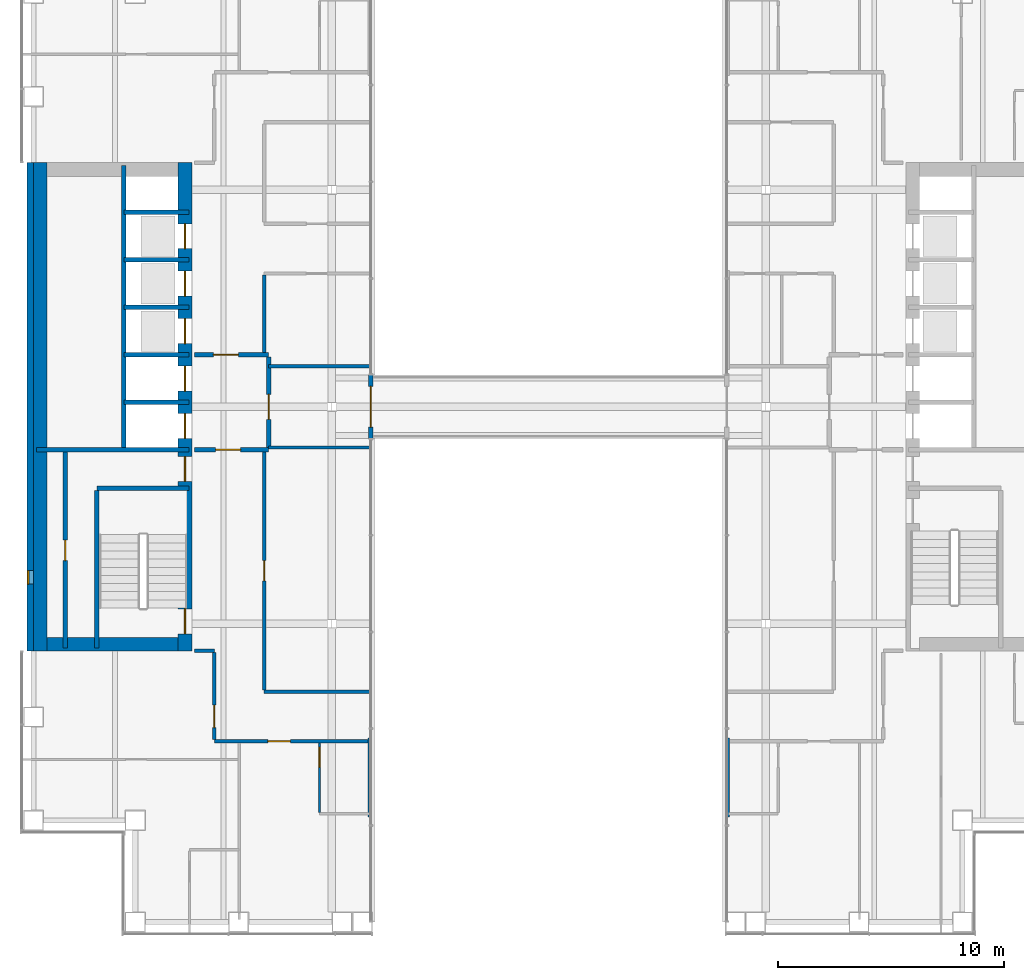
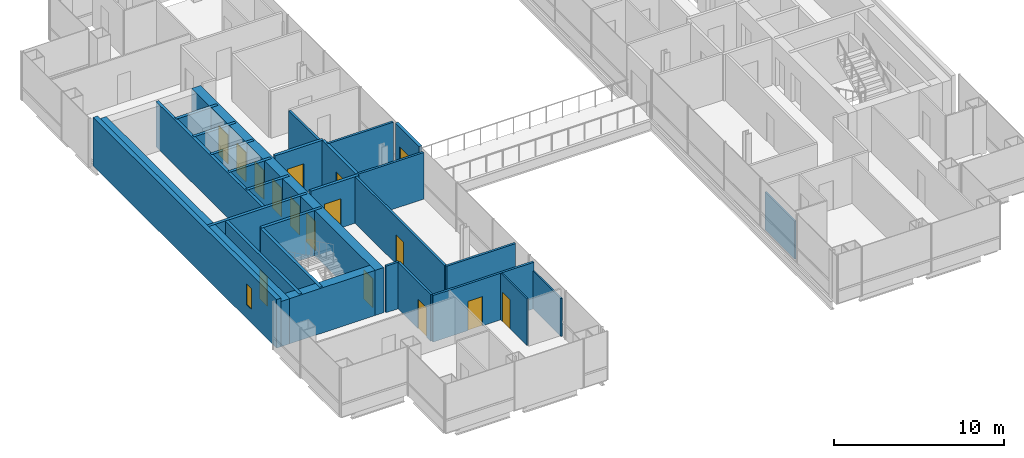
# One storey, part 11 of 16: 29 walls, 16 doors, 1 window, 17 openings.
"""IFC4 building model written with IfcOpenShell, lengths in metres."""

from ifc_helpers import new_model, si_unit, direction, frame, frame_2d, origin, place, context, subcontext, project, spatial, rectangle, extrude, material, layer, layer_set, type_object, element, fill, save


model = new_model("IFC4")

# Units and contexts
model_context = context("Model", 3, precision=1e-05, world=origin(), true_north=direction((0.0, 1.0)))
body_context = subcontext(model_context, "Body", "Model", "MODEL_VIEW")
ifc_project = project(units=[si_unit("LENGTHUNIT", "METRE"), si_unit("AREAUNIT", "SQUARE_METRE"), si_unit("VOLUMEUNIT", "CUBIC_METRE"), si_unit("PLANEANGLEUNIT", "RADIAN"), si_unit("MASSUNIT", "GRAM", prefix="KILO")], contexts=[model_context])

# Site, building, storey
site_placement = place(None, origin())
site = spatial("IfcSite", under=ifc_project, at=site_placement, CompositionType="ELEMENT")
building_placement = place(site_placement, origin())
building = spatial("IfcBuilding", under=site, at=building_placement, Name="Cobrizo Arcos Hotel Tower", CompositionType="ELEMENT")
storey_placement = place(building_placement, frame((0.0, 0.0, 120.5)))
storey = spatial("IfcBuildingStorey", under=building, at=storey_placement, Name="L30", CompositionType="ELEMENT", Elevation=120.5)

# Wall, opening, door
ifc_material_1 = material(Name="Gypsum board partition")
ifc_layer_1 = layer(ifc_material_1, 0.14990234375)
ifc_layer_set_1 = layer_set([ifc_layer_1], Name="Corridor wall EI 60 150")
wall_type_1 = type_object("IfcWallType", Name="Corridor wall EI 60 150", PredefinedType="PARTITIONING", material=ifc_layer_set_1)
wall_1_placement = place(storey_placement, frame((-14.800048828125, -14.800048828125, 0.0), z_axis=(0.0, 0.0, 1.0), x_axis=(1.0, 0.0, 0.0)))
wall_1 = element("IfcWall", 1, at=wall_1_placement, inside=storey, type_object=wall_type_1, Name="Partition 005", PredefinedType="PARTITIONING", context=body_context, shape_type="SweptSolid", body=[
    extrude(rectangle(XDim=6.85009765625, YDim=0.14990234375, at=frame_2d((3.425048828125, 0.0))), origin(), (0.0, 0.0, 1.0), 3.35009765625),
])
opening_1_placement = place(wall_1_placement, frame((2.363037109375, 0.0, 0.0)))
opening_1 = element("IfcOpeningElement", 2, at=opening_1_placement, cuts=wall_1, Name="Opening GD-04", PredefinedType="OPENING", context=body_context, shape_type="SweptSolid", body=[
    extrude(rectangle(XDim=1.0, YDim=2.10009765625, at=frame_2d((0.5, 1.050048828125))), frame((0.0, 0.0869140625, 0.0), z_axis=(0.0, -1.0, 0.0), x_axis=(1.0, 0.0, 0.0)), (0.0, 0.0, 1.0), 0.173828125),
])
ifc_material_2 = material(Name="Timber door leaf", Category="wood")
door_type_1 = type_object("IfcDoorType", Name="Guest room door FD30S 1000x2100", OperationType="SINGLE_SWING_LEFT", PredefinedType="DOOR", material=ifc_material_2)
door_1_placement = place(opening_1_placement, origin())
door_1 = element("IfcDoor", 3, at=door_1_placement, inside=storey, type_object=door_type_1, Name="Door GD-04", OperationType="SINGLE_SWING_RIGHT", OverallHeight=2.10009765625, OverallWidth=1.0, PredefinedType="DOOR", context=body_context, shape_type="SweptSolid", body=[
    extrude(rectangle(XDim=1.0, YDim=2.10009765625, at=frame_2d((0.5, 1.050048828125))), frame((0.0, 0.02490234375, 0.0), z_axis=(0.0, -1.0, 0.0), x_axis=(1.0, 0.0, 0.0)), (0.0, 0.0, 1.0), 0.050048828125),
])
fill(opening_1, door_1)

# Walls
wall_2_placement = place(storey_placement, frame((-12.60009765625, -12.60009765625, 0.0), z_axis=(0.0, 0.0, 1.0), x_axis=(1.0, 0.0, 0.0)))
element("IfcWall", 4, at=wall_2_placement, inside=storey, type_object=wall_type_1, Name="Partition 008", PredefinedType="PARTITIONING", context=body_context, shape_type="SweptSolid", body=[
    extrude(rectangle(XDim=4.68017578125, YDim=0.14990234375, at=frame_2d((2.340087890625, 0.0))), origin(), (0.0, 0.0, 1.0), 3.35009765625),
])
wall_3_placement = place(storey_placement, frame((-15.679931640625, -10.800048828125, 0.0), z_axis=(0.0, 0.0, 1.0), x_axis=(1.0, 0.0, 0.0)))
element("IfcWall", 5, at=wall_3_placement, inside=storey, type_object=wall_type_1, Name="Partition 010", PredefinedType="PARTITIONING", context=body_context, shape_type="SweptSolid", body=[
    extrude(rectangle(XDim=0.8798828125, YDim=0.14990234375, at=frame_2d((0.43994140625, 0.0))), origin(), (0.0, 0.0, 1.0), 3.35009765625),
])
for number, where, z_axis, x_axis, name in (
    (6, (-12.39990234375, -1.800048828125, 0.0), (0.0, 0.0, 1.0), (1.0, 0.0, 0.0), "Partition 018"),
    (7, (-12.39990234375, 1.800048828125, 0.0), (0.0, 0.0, 1.0), (1.0, 0.0, 0.0), "Partition 022"),
):
    element("IfcWall", number, at=place(storey_placement, frame(where, z_axis=z_axis, x_axis=x_axis)), inside=storey, type_object=wall_type_1, Name=name, PredefinedType="PARTITIONING", context=body_context, shape_type="SweptSolid", body=[
        extrude(rectangle(XDim=4.47998046875, YDim=0.14990234375, at=frame_2d((2.239990234375, 0.0))), origin(), (0.0, 0.0, 1.0), 3.35009765625),
    ])

# Wall, opening, door
wall_4_placement = place(storey_placement, frame((-14.800048828125, -14.72509765625, 0.0), z_axis=(0.0, 0.0, 1.0), x_axis=(0.0, 1.0, 0.0)))
wall_4 = element("IfcWall", 8, at=wall_4_placement, inside=storey, type_object=wall_type_1, Name="Partition 054", PredefinedType="PARTITIONING", context=body_context, shape_type="SweptSolid", body=[
    extrude(rectangle(XDim=3.85009765625, YDim=0.14990234375, at=frame_2d((1.925048828125, 0.0))), origin(), (0.0, 0.0, 1.0), 3.35009765625),
])
opening_2_placement = place(wall_4_placement, frame((0.52490234375, 0.0, 0.0)))
opening_2 = element("IfcOpeningElement", 9, at=opening_2_placement, cuts=wall_4, Name="Opening GD-05", PredefinedType="OPENING", context=body_context, shape_type="SweptSolid", body=[
    extrude(rectangle(XDim=1.0, YDim=2.10009765625, at=frame_2d((0.5, 1.050048828125))), frame((0.0, 0.0869140625, 0.0), z_axis=(0.0, -1.0, 0.0), x_axis=(1.0, 0.0, 0.0)), (0.0, 0.0, 1.0), 0.173828125),
])
door_2_placement = place(opening_2_placement, origin())
door_2 = element("IfcDoor", 10, at=door_2_placement, inside=storey, type_object=door_type_1, Name="Door GD-05", OperationType="SINGLE_SWING_LEFT", OverallHeight=2.10009765625, OverallWidth=1.0, PredefinedType="DOOR", context=body_context, shape_type="SweptSolid", body=[
    extrude(rectangle(XDim=1.0, YDim=2.10009765625, at=frame_2d((0.5, 1.050048828125))), frame((0.0, 0.02490234375, 0.0), z_axis=(0.0, -1.0, 0.0), x_axis=(1.0, 0.0, 0.0)), (0.0, 0.0, 1.0), 0.050048828125),
])
fill(opening_2, door_2)

wall_5_placement = place(storey_placement, frame((-12.60009765625, -12.52490234375, 0.0), z_axis=(0.0, 0.0, 1.0), x_axis=(0.0, 1.0, 0.0)))
wall_5 = element("IfcWall", 11, at=wall_5_placement, inside=storey, type_object=wall_type_1, Name="Partition 058", PredefinedType="PARTITIONING", context=body_context, shape_type="SweptSolid", body=[
    extrude(rectangle(XDim=10.52490234375, YDim=0.14990234375, at=frame_2d((5.262451171875, 0.0))), origin(), (0.0, 0.0, 1.0), 3.35009765625),
])
opening_3_placement = place(wall_5_placement, frame((4.824951171875, 0.0, 0.0)))
opening_3 = element("IfcOpeningElement", 12, at=opening_3_placement, cuts=wall_5, Name="Opening RD-09", PredefinedType="OPENING", context=body_context, shape_type="SweptSolid", body=[
    extrude(rectangle(XDim=0.89990234375, YDim=2.10009765625, at=frame_2d((0.449951171875, 1.050048828125))), frame((0.0, 0.0869140625, 0.0), z_axis=(0.0, -1.0, 0.0), x_axis=(1.0, 0.0, 0.0)), (0.0, 0.0, 1.0), 0.173828125),
])
door_type_2 = type_object("IfcDoorType", Name="Room door FD30 900x2100", OperationType="SINGLE_SWING_LEFT", PredefinedType="DOOR", material=ifc_material_2)
door_3_placement = place(opening_3_placement, origin())
door_3 = element("IfcDoor", 13, at=door_3_placement, inside=storey, type_object=door_type_2, Name="Door RD-09", OperationType="SINGLE_SWING_RIGHT", OverallHeight=2.10009765625, OverallWidth=0.89990234375, PredefinedType="DOOR", context=body_context, shape_type="SweptSolid", body=[
    extrude(rectangle(XDim=0.89990234375, YDim=2.10009765625, at=frame_2d((0.449951171875, 1.050048828125))), frame((0.0, 0.02490234375, 0.0), z_axis=(0.0, -1.0, 0.0), x_axis=(1.0, 0.0, 0.0)), (0.0, 0.0, 1.0), 0.050048828125),
])
fill(opening_3, door_3)

# Wall
wall_6_placement = place(storey_placement, frame((-12.60009765625, 2.39990234375, 0.0), z_axis=(0.0, 0.0, 1.0), x_axis=(0.0, 1.0, 0.0)))
element("IfcWall", 14, at=wall_6_placement, inside=storey, type_object=wall_type_1, Name="Partition 059", PredefinedType="PARTITIONING", context=body_context, shape_type="SweptSolid", body=[
    extrude(rectangle(XDim=3.425048828125, YDim=0.14990234375, at=frame_2d((1.71240234375, 0.0))), origin(), (0.0, 0.0, 1.0), 3.35009765625),
])

# Wall, opening, window
ifc_material_3 = material(Name="Aluminium composite panel pale metal", Category="aluminium")
ifc_layer_2 = layer(ifc_material_3, 0.300048828125)
ifc_layer_set_2 = layer_set([ifc_layer_2], Name="EW-1 insulated panel wall 300")
wall_type_2 = type_object("IfcWallType", Name="EW-1 insulated panel wall 300", PredefinedType="SOLIDWALL", material=ifc_layer_set_2)
wall_7_placement = place(storey_placement, frame((-22.949951171875, 10.800048828125, 0.0), z_axis=(0.0, 0.0, 1.0), x_axis=(0.0, -1.0, 0.0)))
wall_7 = element("IfcWall", 15, at=wall_7_placement, inside=storey, type_object=wall_type_2, Name="Core face wall L30 W", PredefinedType="SOLIDWALL", context=body_context, shape_type="SweptSolid", body=[
    extrude(rectangle(XDim=21.60009765625, YDim=0.300048828125, at=frame_2d((10.800048828125, 0.0))), origin(), (0.0, 0.0, 1.0), 3.5),
])
opening_4_placement = place(wall_7_placement, frame((18.050048828125, 0.0, 1.0)))
opening_4 = element("IfcOpeningElement", 16, at=opening_4_placement, cuts=wall_7, Name="Opening W-62", PredefinedType="OPENING", context=body_context, shape_type="SweptSolid", body=[
    extrude(rectangle(XDim=0.60009765625, YDim=1.5, at=frame_2d((0.300048828125, 0.75))), frame((0.0, 0.162109375, 0.0), z_axis=(0.0, -1.0, 0.0), x_axis=(1.0, 0.0, 0.0)), (0.0, 0.0, 1.0), 0.323974609375),
])
ifc_material_4 = material(Name="Aluminium 6063-T6 and clear laminated glass", Category="aluminium")
window_type = type_object("IfcWindowType", Name="W-C1 core stair slot window 600x1500", PartitioningType="SINGLE_PANEL", PredefinedType="WINDOW", material=ifc_material_4)
window_placement = place(opening_4_placement, origin())
window = element("IfcWindow", 17, at=window_placement, inside=storey, type_object=window_type, Name="Core face wall L30 W window W-62", OverallHeight=1.5, OverallWidth=0.60009765625, PartitioningType="SINGLE_PANEL", PredefinedType="WINDOW", context=body_context, shape_type="SweptSolid", body=[
    extrude(rectangle(XDim=0.60009765625, YDim=1.5, at=frame_2d((0.300048828125, 0.75))), frame((0.0, -0.06005859375, 0.0), z_axis=(0.0, -1.0, 0.0), x_axis=(1.0, 0.0, 0.0)), (0.0, 0.0, 1.0), 0.06005859375),
])
fill(opening_4, window)

# Wall, opening, door
ifc_material_5 = material(Name="Aluminium 6063-T6 anodised pale", Category="aluminium")
ifc_layer_3 = layer(ifc_material_5, 0.199951171875)
ifc_layer_set_3 = layer_set([ifc_layer_3], Name="EW-4 sky bridge door frame wall")
wall_type_3 = type_object("IfcWallType", Name="EW-4 sky bridge door frame wall", PredefinedType="SOLIDWALL", material=ifc_layer_set_3)
wall_8_placement = place(storey_placement, frame((-7.875, -1.39990234375, 0.0), z_axis=(0.0, 0.0, 1.0), x_axis=(0.0, 1.0, 0.0)))
wall_8 = element("IfcWall", 18, at=wall_8_placement, inside=storey, type_object=wall_type_3, Name="Sky bridge door wall B W", PredefinedType="SOLIDWALL", context=body_context, shape_type="SweptSolid", body=[
    extrude(rectangle(XDim=2.7998046875, YDim=0.199951171875, at=frame_2d((1.39990234375, 0.0))), origin(), (0.0, 0.0, 1.0), 3.5),
])
opening_5_placement = place(wall_8_placement, frame((0.5, 0.0, 0.0)))
opening_5 = element("IfcOpeningElement", 19, at=opening_5_placement, cuts=wall_8, Name="Opening E-47", PredefinedType="OPENING", context=body_context, shape_type="SweptSolid", body=[
    extrude(rectangle(XDim=1.800048828125, YDim=2.10009765625, at=frame_2d((0.89990234375, 1.050048828125))), frame((0.0, 0.112060546875, 0.0), z_axis=(0.0, -1.0, 0.0), x_axis=(1.0, 0.0, 0.0)), (0.0, 0.0, 1.0), 0.223876953125),
])
door_type_3 = type_object("IfcDoorType", Name="D-B1 sky bridge double door 1800x2100", OperationType="DOUBLE_DOOR_DOUBLE_SWING", PredefinedType="DOOR", material=ifc_material_4)
door_4_placement = place(opening_5_placement, origin())
door_4 = element("IfcDoor", 20, at=door_4_placement, inside=storey, type_object=door_type_3, Name="Sky bridge door wall B W door E-47", OperationType="DOUBLE_DOOR_DOUBLE_SWING", OverallHeight=2.10009765625, OverallWidth=1.800048828125, PredefinedType="DOOR", context=body_context, shape_type="SweptSolid", body=[
    extrude(rectangle(XDim=1.800048828125, YDim=2.10009765625, at=frame_2d((0.89990234375, 1.050048828125))), frame((0.0, 0.02490234375, 0.0), z_axis=(0.0, -1.0, 0.0), x_axis=(1.0, 0.0, 0.0)), (0.0, 0.0, 1.0), 0.050048828125),
])
fill(opening_5, door_4)

ifc_layer_4 = layer(ifc_material_1, 0.10009765625)
ifc_layer_set_4 = layer_set([ifc_layer_4], Name="Partition EI 30 100")
wall_type_4 = type_object("IfcWallType", Name="Partition EI 30 100", PredefinedType="PARTITIONING", material=ifc_layer_set_4)
wall_9_placement = place(storey_placement, frame((-10.14990234375, -17.949951171875, 0.0), z_axis=(0.0, 0.0, 1.0), x_axis=(0.0, 1.0, 0.0)))
wall_9 = element("IfcWall", 21, at=wall_9_placement, inside=storey, type_object=wall_type_4, Name="Partition 062", PredefinedType="PARTITIONING", context=body_context, shape_type="SweptSolid", body=[
    extrude(rectangle(XDim=3.074951171875, YDim=0.10009765625, at=frame_2d((1.53759765625, 0.0))), origin(), (0.0, 0.0, 1.0), 3.35009765625),
])
opening_6_placement = place(wall_9_placement, frame((1.99609375, 0.0, 0.0)))
opening_6 = element("IfcOpeningElement", 22, at=opening_6_placement, cuts=wall_9, Name="Opening ED-05", PredefinedType="OPENING", context=body_context, shape_type="SweptSolid", body=[
    extrude(rectangle(XDim=0.89990234375, YDim=2.10009765625, at=frame_2d((0.449951171875, 1.050048828125))), frame((0.0, 0.06201171875, 0.0), z_axis=(0.0, -1.0, 0.0), x_axis=(1.0, 0.0, 0.0)), (0.0, 0.0, 1.0), 0.1240234375),
])
door_type_4 = type_object("IfcDoorType", Name="En-suite door 900x2100", OperationType="SINGLE_SWING_LEFT", PredefinedType="DOOR", material=ifc_material_2)
door_5_placement = place(opening_6_placement, origin())
door_5 = element("IfcDoor", 23, at=door_5_placement, inside=storey, type_object=door_type_4, Name="Door ED-05", OperationType="SINGLE_SWING_LEFT", OverallHeight=2.10009765625, OverallWidth=0.89990234375, PredefinedType="DOOR", context=body_context, shape_type="SweptSolid", body=[
    extrude(rectangle(XDim=0.89990234375, YDim=2.10009765625, at=frame_2d((0.449951171875, 1.050048828125))), frame((0.0, 0.02490234375, 0.0), z_axis=(0.0, -1.0, 0.0), x_axis=(1.0, 0.0, 0.0)), (0.0, 0.0, 1.0), 0.050048828125),
])
fill(opening_6, door_5)

# Walls
for number, where, z_axis, x_axis, name in (
    (24, (-7.949951171875, -18.139892578125, 0.0), (0.0, 0.0, 1.0), (0.0, 1.0, 0.0), "Partition 064"),
    (25, (7.949951171875, -18.139892578125, 0.0), (0.0, 0.0, 1.0), (0.0, 1.0, 0.0), "Partition 066"),
):
    element("IfcWall", number, at=place(storey_placement, frame(where, z_axis=z_axis, x_axis=x_axis)), inside=storey, type_object=wall_type_4, Name=name, PredefinedType="PARTITIONING", context=body_context, shape_type="SweptSolid", body=[
        extrude(rectangle(XDim=3.47998046875, YDim=0.10009765625, at=frame_2d((1.739990234375, 0.0))), origin(), (0.0, 0.0, 1.0), 2.73291015625),
    ])

# Wall, openings, doors
ifc_material_6 = material(Name="Concrete f'c 50 MPa", Category="concrete")
ifc_layer_5 = layer(ifc_material_6, 0.60009765625)
ifc_layer_set_5 = layer_set([ifc_layer_5], Name="RC core wall 600 f'c 50")
wall_type_5 = type_object("IfcWallType", Name="RC core wall 600 f'c 50", PredefinedType="SHEAR", material=ifc_layer_set_5)
wall_10_placement = place(storey_placement, frame((-16.10009765625, -10.800048828125, 0.0), z_axis=(0.0, 0.0, 1.0), x_axis=(0.0, 1.0, 0.0)))
wall_10 = element("IfcWall", 26, at=wall_10_placement, inside=storey, type_object=wall_type_5, Name="Core wall CW2, west core, inner face, L30", PredefinedType="SHEAR", context=body_context, shape_type="SweptSolid", body=[
    extrude(rectangle(XDim=21.60009765625, YDim=0.60009765625, at=frame_2d((10.800048828125, 0.0))), origin(), (0.0, 0.0, 1.0), 3.25),
])
opening_7_placement = place(wall_10_placement, frame((9.39990234375, 0.0, 0.0)))
opening_7 = element("IfcOpeningElement", 27, at=opening_7_placement, cuts=wall_10, Name="Opening LD-01", PredefinedType="OPENING", context=body_context, shape_type="SweptSolid", body=[
    extrude(rectangle(XDim=1.10009765625, YDim=2.10009765625, at=frame_2d((0.550048828125, 1.050048828125))), frame((0.0, 0.31201171875, 0.0), z_axis=(0.0, -1.0, 0.0), x_axis=(1.0, 0.0, 0.0)), (0.0, 0.0, 1.0), 0.6240234375),
])
opening_8_placement = place(wall_10_placement, frame((11.5, 0.0, 0.0)))
opening_8 = element("IfcOpeningElement", 28, at=opening_8_placement, cuts=wall_10, Name="Opening LD-02", PredefinedType="OPENING", context=body_context, shape_type="SweptSolid", body=[
    extrude(rectangle(XDim=1.10009765625, YDim=2.10009765625, at=frame_2d((0.550048828125, 1.050048828125))), frame((0.0, 0.31201171875, 0.0), z_axis=(0.0, -1.0, 0.0), x_axis=(1.0, 0.0, 0.0)), (0.0, 0.0, 1.0), 0.6240234375),
])
opening_9_placement = place(wall_10_placement, frame((13.60009765625, 0.0, 0.0)))
opening_9 = element("IfcOpeningElement", 29, at=opening_9_placement, cuts=wall_10, Name="Opening LD-03", PredefinedType="OPENING", context=body_context, shape_type="SweptSolid", body=[
    extrude(rectangle(XDim=1.10009765625, YDim=2.10009765625, at=frame_2d((0.550048828125, 1.050048828125))), frame((0.0, 0.31201171875, 0.0), z_axis=(0.0, -1.0, 0.0), x_axis=(1.0, 0.0, 0.0)), (0.0, 0.0, 1.0), 0.6240234375),
])
opening_10_placement = place(wall_10_placement, frame((15.699951171875, 0.0, 0.0)))
opening_10 = element("IfcOpeningElement", 30, at=opening_10_placement, cuts=wall_10, Name="Opening LD-04", PredefinedType="OPENING", context=body_context, shape_type="SweptSolid", body=[
    extrude(rectangle(XDim=1.10009765625, YDim=2.10009765625, at=frame_2d((0.550048828125, 1.050048828125))), frame((0.0, 0.31201171875, 0.0), z_axis=(0.0, -1.0, 0.0), x_axis=(1.0, 0.0, 0.0)), (0.0, 0.0, 1.0), 0.6240234375),
])
opening_11_placement = place(wall_10_placement, frame((17.800048828125, 0.0, 0.0)))
opening_11 = element("IfcOpeningElement", 31, at=opening_11_placement, cuts=wall_10, Name="Opening LD-05", PredefinedType="OPENING", context=body_context, shape_type="SweptSolid", body=[
    extrude(rectangle(XDim=1.10009765625, YDim=2.10009765625, at=frame_2d((0.550048828125, 1.050048828125))), frame((0.0, 0.31201171875, 0.0), z_axis=(0.0, -1.0, 0.0), x_axis=(1.0, 0.0, 0.0)), (0.0, 0.0, 1.0), 0.6240234375),
])
opening_12_placement = place(wall_10_placement, frame((0.758056640625, 0.0, 0.0)))
opening_12 = element("IfcOpeningElement", 32, at=opening_12_placement, cuts=wall_10, Name="Opening SD-01", PredefinedType="OPENING", context=body_context, shape_type="SweptSolid", body=[
    extrude(rectangle(XDim=1.10009765625, YDim=2.10009765625, at=frame_2d((0.550048828125, 1.050048828125))), frame((0.0, 0.31201171875, 0.0), z_axis=(0.0, -1.0, 0.0), x_axis=(1.0, 0.0, 0.0)), (0.0, 0.0, 1.0), 0.6240234375),
])
opening_13_placement = place(wall_10_placement, frame((7.5, 0.0, 0.0)))
opening_13 = element("IfcOpeningElement", 33, at=opening_13_placement, cuts=wall_10, Name="Opening FD-01", PredefinedType="OPENING", context=body_context, shape_type="SweptSolid", body=[
    extrude(rectangle(XDim=1.10009765625, YDim=2.10009765625, at=frame_2d((0.550048828125, 1.050048828125))), frame((0.0, 0.31201171875, 0.0), z_axis=(0.0, -1.0, 0.0), x_axis=(1.0, 0.0, 0.0)), (0.0, 0.0, 1.0), 0.6240234375),
])
ifc_material_7 = material(Name="Steel door leaf", Category="steel")
door_type_5 = type_object("IfcDoorType", Name="Fire door FD60 1100x2100", OperationType="SINGLE_SWING_LEFT", PredefinedType="DOOR", material=ifc_material_7)
door_6_placement = place(opening_13_placement, origin())
door_6 = element("IfcDoor", 34, at=door_6_placement, inside=storey, type_object=door_type_5, Name="Door FD-01", OperationType="SINGLE_SWING_LEFT", OverallHeight=2.10009765625, OverallWidth=1.10009765625, PredefinedType="DOOR", context=body_context, shape_type="SweptSolid", body=[
    extrude(rectangle(XDim=1.10009765625, YDim=2.10009765625, at=frame_2d((0.550048828125, 1.050048828125))), frame((0.0, 0.02490234375, 0.0), z_axis=(0.0, -1.0, 0.0), x_axis=(1.0, 0.0, 0.0)), (0.0, 0.0, 1.0), 0.050048828125),
])
fill(opening_13, door_6)
door_type_6 = type_object("IfcDoorType", Name="Lift landing door 1100x2100", OperationType="SLIDING_TO_LEFT", PredefinedType="DOOR", material=ifc_material_7)
door_7_placement = place(opening_7_placement, origin())
door_7 = element("IfcDoor", 35, at=door_7_placement, inside=storey, type_object=door_type_6, Name="Lift landing door LD-01", OperationType="SLIDING_TO_LEFT", OverallHeight=2.10009765625, OverallWidth=1.10009765625, PredefinedType="DOOR", context=body_context, shape_type="SweptSolid", body=[
    extrude(rectangle(XDim=1.10009765625, YDim=2.10009765625, at=frame_2d((0.550048828125, 1.050048828125))), frame((0.0, 0.02490234375, 0.0), z_axis=(0.0, -1.0, 0.0), x_axis=(1.0, 0.0, 0.0)), (0.0, 0.0, 1.0), 0.050048828125),
])
fill(opening_7, door_7)
door_8_placement = place(opening_8_placement, origin())
door_8 = element("IfcDoor", 36, at=door_8_placement, inside=storey, type_object=door_type_6, Name="Lift landing door LD-02", OperationType="SLIDING_TO_LEFT", OverallHeight=2.10009765625, OverallWidth=1.10009765625, PredefinedType="DOOR", context=body_context, shape_type="SweptSolid", body=[
    extrude(rectangle(XDim=1.10009765625, YDim=2.10009765625, at=frame_2d((0.550048828125, 1.050048828125))), frame((0.0, 0.02490234375, 0.0), z_axis=(0.0, -1.0, 0.0), x_axis=(1.0, 0.0, 0.0)), (0.0, 0.0, 1.0), 0.050048828125),
])
fill(opening_8, door_8)
door_9_placement = place(opening_9_placement, origin())
door_9 = element("IfcDoor", 37, at=door_9_placement, inside=storey, type_object=door_type_6, Name="Lift landing door LD-03", OperationType="SLIDING_TO_LEFT", OverallHeight=2.10009765625, OverallWidth=1.10009765625, PredefinedType="DOOR", context=body_context, shape_type="SweptSolid", body=[
    extrude(rectangle(XDim=1.10009765625, YDim=2.10009765625, at=frame_2d((0.550048828125, 1.050048828125))), frame((0.0, 0.02490234375, 0.0), z_axis=(0.0, -1.0, 0.0), x_axis=(1.0, 0.0, 0.0)), (0.0, 0.0, 1.0), 0.050048828125),
])
fill(opening_9, door_9)
door_10_placement = place(opening_10_placement, origin())
door_10 = element("IfcDoor", 38, at=door_10_placement, inside=storey, type_object=door_type_6, Name="Lift landing door LD-04", OperationType="SLIDING_TO_LEFT", OverallHeight=2.10009765625, OverallWidth=1.10009765625, PredefinedType="DOOR", context=body_context, shape_type="SweptSolid", body=[
    extrude(rectangle(XDim=1.10009765625, YDim=2.10009765625, at=frame_2d((0.550048828125, 1.050048828125))), frame((0.0, 0.02490234375, 0.0), z_axis=(0.0, -1.0, 0.0), x_axis=(1.0, 0.0, 0.0)), (0.0, 0.0, 1.0), 0.050048828125),
])
fill(opening_10, door_10)
door_11_placement = place(opening_11_placement, origin())
door_11 = element("IfcDoor", 39, at=door_11_placement, inside=storey, type_object=door_type_6, Name="Lift landing door LD-05", OperationType="SLIDING_TO_LEFT", OverallHeight=2.10009765625, OverallWidth=1.10009765625, PredefinedType="DOOR", context=body_context, shape_type="SweptSolid", body=[
    extrude(rectangle(XDim=1.10009765625, YDim=2.10009765625, at=frame_2d((0.550048828125, 1.050048828125))), frame((0.0, 0.02490234375, 0.0), z_axis=(0.0, -1.0, 0.0), x_axis=(1.0, 0.0, 0.0)), (0.0, 0.0, 1.0), 0.050048828125),
])
fill(opening_11, door_11)
door_type_7 = type_object("IfcDoorType", Name="Stair door FD60S 1100x2100", OperationType="SINGLE_SWING_LEFT", PredefinedType="DOOR", material=ifc_material_7)
door_12_placement = place(opening_12_placement, origin())
door_12 = element("IfcDoor", 40, at=door_12_placement, inside=storey, type_object=door_type_7, Name="Door SD-01", OperationType="SINGLE_SWING_RIGHT", OverallHeight=2.10009765625, OverallWidth=1.10009765625, PredefinedType="DOOR", context=body_context, shape_type="SweptSolid", body=[
    extrude(rectangle(XDim=1.10009765625, YDim=2.10009765625, at=frame_2d((0.550048828125, 1.050048828125))), frame((0.0, 0.02490234375, 0.0), z_axis=(0.0, -1.0, 0.0), x_axis=(1.0, 0.0, 0.0)), (0.0, 0.0, 1.0), 0.050048828125),
])
fill(opening_12, door_12)

# Walls
wall_11_placement = place(storey_placement, frame((-22.5, -10.800048828125, 0.0), z_axis=(0.0, 0.0, 1.0), x_axis=(0.0, 1.0, 0.0)))
element("IfcWall", 41, at=wall_11_placement, inside=storey, type_object=wall_type_5, Name="Core wall CW2, west core, outer face, L30", PredefinedType="SHEAR", context=body_context, shape_type="SweptSolid", body=[
    extrude(rectangle(XDim=21.60009765625, YDim=0.60009765625, at=frame_2d((10.800048828125, 0.0))), origin(), (0.0, 0.0, 1.0), 3.25),
])
wall_12_placement = place(storey_placement, frame((-22.199951171875, -10.5, 0.0), z_axis=(0.0, 0.0, 1.0), x_axis=(1.0, 0.0, 0.0)))
element("IfcWall", 42, at=wall_12_placement, inside=storey, type_object=wall_type_5, Name="Core wall CW2, west core, south end, L30", PredefinedType="SHEAR", context=body_context, shape_type="SweptSolid", body=[
    extrude(rectangle(XDim=5.800048828125, YDim=0.60009765625, at=frame_2d((2.89990234375, 0.0))), origin(), (0.0, 0.0, 1.0), 3.25),
])
ifc_layer_6 = layer(ifc_material_1, 0.199951171875)
ifc_layer_set_6 = layer_set([ifc_layer_6], Name="Shaft wall EI 120 200")
wall_type_6 = type_object("IfcWallType", Name="Shaft wall EI 120 200", PredefinedType="PARTITIONING", material=ifc_layer_set_6)
wall_13_placement = place(storey_placement, frame((-22.679931640625, -1.89990234375, 0.0), z_axis=(0.0, 0.0, 1.0), x_axis=(1.0, 0.0, 0.0)))
element("IfcWall", 43, at=wall_13_placement, inside=storey, type_object=wall_type_6, Name="Partition 014", PredefinedType="PARTITIONING", context=body_context, shape_type="SweptSolid", body=[
    extrude(rectangle(XDim=6.760009765625, YDim=0.199951171875, at=frame_2d((3.3798828125, 0.0))), origin(), (0.0, 0.0, 1.0), 3.25),
])

# Wall, opening, door
wall_14_placement = place(storey_placement, frame((-15.679931640625, -1.89990234375, 0.0), z_axis=(0.0, 0.0, 1.0), x_axis=(1.0, 0.0, 0.0)))
wall_14 = element("IfcWall", 44, at=wall_14_placement, inside=storey, type_object=wall_type_6, Name="Partition 015", PredefinedType="PARTITIONING", context=body_context, shape_type="SweptSolid", body=[
    extrude(rectangle(XDim=3.280029296875, YDim=0.199951171875, at=frame_2d((1.64013671875, 0.0))), origin(), (0.0, 0.0, 1.0), 3.35009765625),
])
opening_14_placement = place(wall_14_placement, frame((0.93994140625, 0.0, 0.0)))
opening_14 = element("IfcOpeningElement", 45, at=opening_14_placement, cuts=wall_14, Name="Opening FD-03", PredefinedType="OPENING", context=body_context, shape_type="SweptSolid", body=[
    extrude(rectangle(XDim=1.10009765625, YDim=2.10009765625, at=frame_2d((0.550048828125, 1.050048828125))), frame((0.0, 0.112060546875, 0.0), z_axis=(0.0, -1.0, 0.0), x_axis=(1.0, 0.0, 0.0)), (0.0, 0.0, 1.0), 0.223876953125),
])
door_13_placement = place(opening_14_placement, origin())
door_13 = element("IfcDoor", 46, at=door_13_placement, inside=storey, type_object=door_type_5, Name="Door FD-03", OperationType="SINGLE_SWING_RIGHT", OverallHeight=2.10009765625, OverallWidth=1.10009765625, PredefinedType="DOOR", context=body_context, shape_type="SweptSolid", body=[
    extrude(rectangle(XDim=1.10009765625, YDim=2.10009765625, at=frame_2d((0.550048828125, 1.050048828125))), frame((0.0, 0.02490234375, 0.0), z_axis=(0.0, -1.0, 0.0), x_axis=(1.0, 0.0, 0.0)), (0.0, 0.0, 1.0), 0.050048828125),
])
fill(opening_14, door_13)

# Walls
for number, where, z_axis, x_axis, name in (
    (47, (-18.800048828125, 0.199951171875, 0.0), (0.0, 0.0, 1.0), (1.0, 0.0, 0.0), "Partition 020"),
    (48, (-18.800048828125, 2.300048828125, 0.0), (0.0, 0.0, 1.0), (1.0, 0.0, 0.0), "Partition 024"),
):
    element("IfcWall", number, at=place(storey_placement, frame(where, z_axis=z_axis, x_axis=x_axis)), inside=storey, type_object=wall_type_6, Name=name, PredefinedType="PARTITIONING", context=body_context, shape_type="SweptSolid", body=[
        extrude(rectangle(XDim=2.880126953125, YDim=0.199951171875, at=frame_2d((1.43994140625, 0.0))), origin(), (0.0, 0.0, 1.0), 3.25),
    ])

# Wall, opening, door
wall_15_placement = place(storey_placement, frame((-15.679931640625, 2.300048828125, 0.0), z_axis=(0.0, 0.0, 1.0), x_axis=(1.0, 0.0, 0.0)))
wall_15 = element("IfcWall", 49, at=wall_15_placement, inside=storey, type_object=wall_type_6, Name="Partition 025", PredefinedType="PARTITIONING", context=body_context, shape_type="SweptSolid", body=[
    extrude(rectangle(XDim=3.280029296875, YDim=0.199951171875, at=frame_2d((1.64013671875, 0.0))), origin(), (0.0, 0.0, 1.0), 3.35009765625),
])
opening_15_placement = place(wall_15_placement, frame((0.840087890625, 0.0, 0.0)))
opening_15 = element("IfcOpeningElement", 50, at=opening_15_placement, cuts=wall_15, Name="Opening FD-04", PredefinedType="OPENING", context=body_context, shape_type="SweptSolid", body=[
    extrude(rectangle(XDim=1.10009765625, YDim=2.10009765625, at=frame_2d((0.550048828125, 1.050048828125))), frame((0.0, 0.112060546875, 0.0), z_axis=(0.0, -1.0, 0.0), x_axis=(1.0, 0.0, 0.0)), (0.0, 0.0, 1.0), 0.223876953125),
])
door_14_placement = place(opening_15_placement, origin())
door_14 = element("IfcDoor", 51, at=door_14_placement, inside=storey, type_object=door_type_5, Name="Door FD-04", OperationType="SINGLE_SWING_RIGHT", OverallHeight=2.10009765625, OverallWidth=1.10009765625, PredefinedType="DOOR", context=body_context, shape_type="SweptSolid", body=[
    extrude(rectangle(XDim=1.10009765625, YDim=2.10009765625, at=frame_2d((0.550048828125, 1.050048828125))), frame((0.0, 0.02490234375, 0.0), z_axis=(0.0, -1.0, 0.0), x_axis=(1.0, 0.0, 0.0)), (0.0, 0.0, 1.0), 0.050048828125),
])
fill(opening_15, door_14)

# Walls
for number, where, z_axis, x_axis, name in (
    (52, (-18.800048828125, 4.39990234375, 0.0), (0.0, 0.0, 1.0), (1.0, 0.0, 0.0), "Partition 028"),
    (53, (-18.800048828125, 6.5, 0.0), (0.0, 0.0, 1.0), (1.0, 0.0, 0.0), "Partition 032"),
    (54, (-18.800048828125, 8.60009765625, 0.0), (0.0, 0.0, 1.0), (1.0, 0.0, 0.0), "Partition 036"),
):
    element("IfcWall", number, at=place(storey_placement, frame(where, z_axis=z_axis, x_axis=x_axis)), inside=storey, type_object=wall_type_6, Name=name, PredefinedType="PARTITIONING", context=body_context, shape_type="SweptSolid", body=[
        extrude(rectangle(XDim=2.880126953125, YDim=0.199951171875, at=frame_2d((1.43994140625, 0.0))), origin(), (0.0, 0.0, 1.0), 3.25),
    ])

# Wall, opening, door
wall_16_placement = place(storey_placement, frame((-21.39990234375, -10.679931640625, 0.0), z_axis=(0.0, 0.0, 1.0), x_axis=(0.0, 1.0, 0.0)))
wall_16 = element("IfcWall", 55, at=wall_16_placement, inside=storey, type_object=wall_type_6, Name="Partition 049", PredefinedType="PARTITIONING", context=body_context, shape_type="SweptSolid", body=[
    extrude(rectangle(XDim=8.679931640625, YDim=0.199951171875, at=frame_2d((4.33984375, 0.0))), origin(), (0.0, 0.0, 1.0), 3.25),
])
opening_16_placement = place(wall_16_placement, frame((3.8798828125, 0.0, 0.0)))
opening_16 = element("IfcOpeningElement", 56, at=opening_16_placement, cuts=wall_16, Name="Opening ED-01", PredefinedType="OPENING", context=body_context, shape_type="SweptSolid", body=[
    extrude(rectangle(XDim=0.89990234375, YDim=2.10009765625, at=frame_2d((0.449951171875, 1.050048828125))), frame((0.0, 0.112060546875, 0.0), z_axis=(0.0, -1.0, 0.0), x_axis=(1.0, 0.0, 0.0)), (0.0, 0.0, 1.0), 0.223876953125),
])
door_15_placement = place(opening_16_placement, origin())
door_15 = element("IfcDoor", 57, at=door_15_placement, inside=storey, type_object=door_type_4, Name="Door ED-01", OperationType="SINGLE_SWING_RIGHT", OverallHeight=2.10009765625, OverallWidth=0.89990234375, PredefinedType="DOOR", context=body_context, shape_type="SweptSolid", body=[
    extrude(rectangle(XDim=0.89990234375, YDim=2.10009765625, at=frame_2d((0.449951171875, 1.050048828125))), frame((0.0, 0.02490234375, 0.0), z_axis=(0.0, -1.0, 0.0), x_axis=(1.0, 0.0, 0.0)), (0.0, 0.0, 1.0), 0.050048828125),
])
fill(opening_16, door_15)

# Wall
wall_17_placement = place(storey_placement, frame((-18.800048828125, -1.800048828125, 0.0), z_axis=(0.0, 0.0, 1.0), x_axis=(0.0, 1.0, 0.0)))
element("IfcWall", 58, at=wall_17_placement, inside=storey, type_object=wall_type_6, Name="Partition 051", PredefinedType="PARTITIONING", context=body_context, shape_type="SweptSolid", body=[
    extrude(rectangle(XDim=12.47998046875, YDim=0.199951171875, at=frame_2d((6.239990234375, 0.0))), origin(), (0.0, 0.0, 1.0), 3.25),
])

# Wall, opening, door
wall_18_placement = place(storey_placement, frame((-12.39990234375, -1.800048828125, 0.0), z_axis=(0.0, 0.0, 1.0), x_axis=(0.0, 1.0, 0.0)))
wall_18 = element("IfcWall", 59, at=wall_18_placement, inside=storey, type_object=wall_type_6, Name="Partition 061", PredefinedType="PARTITIONING", context=body_context, shape_type="SweptSolid", body=[
    extrude(rectangle(XDim=4.0, YDim=0.199951171875, at=frame_2d((2.0, 0.0))), origin(), (0.0, 0.0, 1.0), 3.35009765625),
])
opening_17_placement = place(wall_18_placement, frame((1.25, 0.0, 0.0)))
opening_17 = element("IfcOpeningElement", 60, at=opening_17_placement, cuts=wall_18, Name="Opening FD-02", PredefinedType="OPENING", context=body_context, shape_type="SweptSolid", body=[
    extrude(rectangle(XDim=1.10009765625, YDim=2.10009765625, at=frame_2d((0.550048828125, 1.050048828125))), frame((0.0, 0.112060546875, 0.0), z_axis=(0.0, -1.0, 0.0), x_axis=(1.0, 0.0, 0.0)), (0.0, 0.0, 1.0), 0.223876953125),
])
door_16_placement = place(opening_17_placement, origin())
door_16 = element("IfcDoor", 61, at=door_16_placement, inside=storey, type_object=door_type_5, Name="Door FD-02", OperationType="SINGLE_SWING_LEFT", OverallHeight=2.10009765625, OverallWidth=1.10009765625, PredefinedType="DOOR", context=body_context, shape_type="SweptSolid", body=[
    extrude(rectangle(XDim=1.10009765625, YDim=2.10009765625, at=frame_2d((0.550048828125, 1.050048828125))), frame((0.0, 0.02490234375, 0.0), z_axis=(0.0, -1.0, 0.0), x_axis=(1.0, 0.0, 0.0)), (0.0, 0.0, 1.0), 0.050048828125),
])
fill(opening_17, door_16)

# Walls
ifc_material_8 = material(Name="Concrete f'c 40 MPa", Category="concrete")
ifc_layer_7 = layer(ifc_material_8, 0.199951171875)
ifc_layer_set_7 = layer_set([ifc_layer_7], Name="Stair shaft wall 200")
wall_type_7 = type_object("IfcWallType", Name="Stair shaft wall 200", PredefinedType="SHEAR", material=ifc_layer_set_7)
wall_19_placement = place(storey_placement, frame((-20.0, -3.60009765625, 0.0), z_axis=(0.0, 0.0, 1.0), x_axis=(1.0, 0.0, 0.0)))
element("IfcWall", 62, at=wall_19_placement, inside=storey, type_object=wall_type_7, Name="Stair shaft wall W", PredefinedType="SHEAR", context=body_context, shape_type="SweptSolid", body=[
    extrude(rectangle(XDim=4.080078125, YDim=0.199951171875, at=frame_2d((2.0400390625, 0.0))), origin(), (0.0, 0.0, 1.0), 3.25),
])
wall_20_placement = place(storey_placement, frame((-20.0, -10.679931640625, 0.0), z_axis=(0.0, 0.0, 1.0), x_axis=(0.0, 1.0, 0.0)))
element("IfcWall", 63, at=wall_20_placement, inside=storey, type_object=wall_type_7, Name="Stair shaft wall W", PredefinedType="SHEAR", context=body_context, shape_type="SweptSolid", body=[
    extrude(rectangle(XDim=6.97998046875, YDim=0.199951171875, at=frame_2d((3.489990234375, 0.0))), origin(), (0.0, 0.0, 1.0), 3.25),
])

save(model, "model.ifc")
